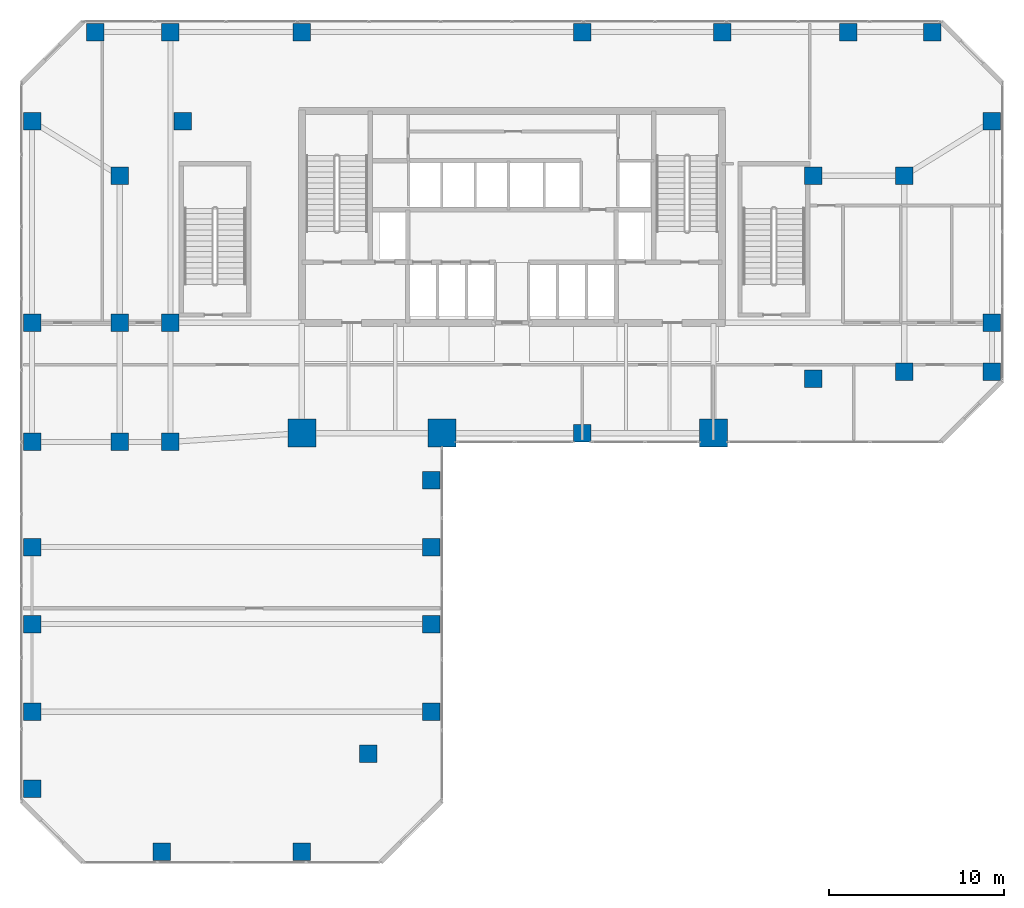
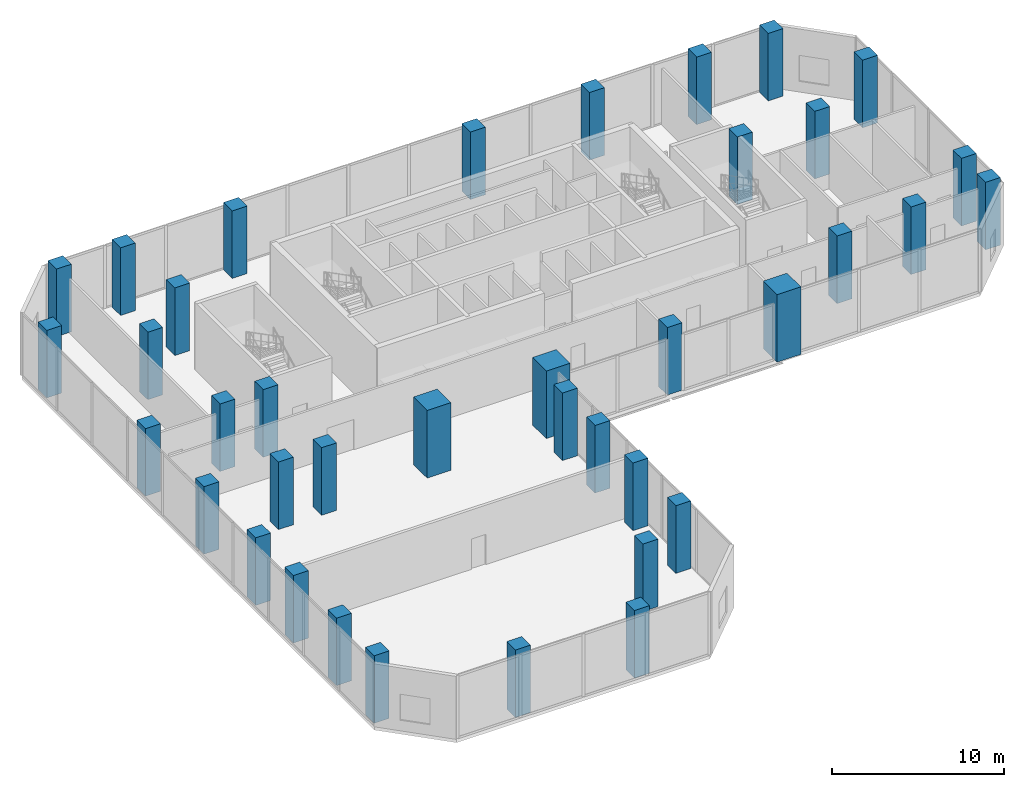
# One storey, part 1 of 24: 38 columns.
"""IFC4 building model written with IfcOpenShell, lengths in metres."""

import ifcopenshell
import ifcopenshell.guid

model = None  # the IFC model being written
_history = None  # IfcOwnerHistory: only IFC2X3 demands one
_inside = {}  # id of a spatial element -> (the spatial element, [elements in it])
_under = {}  # id of a project, library or spatial element -> (it, [spatial elements below it])
_declared = {}  # id of a project -> (the project, [libraries it declares])
_typed = {}  # id of a type object -> (the type object, [elements of that type])
_made_of = {}  # id of a material, layer set ... -> (it, [elements and type objects made of it])


def new_model(schema):
    """Start an empty IFC model of exactly this schema.

    Asked for "IFC4X3", IfcOpenShell would pick the latest addendum, in which some entities
    have other attributes; the version numbers below select the first issue.
    IFC2X3 requires an IfcOwnerHistory on every rooted entity: one is made here for all.
    """
    global model, _history
    if schema == "IFC4X3":
        model = ifcopenshell.file(schema_version=(4, 3, 0, 0))
    else:
        model = ifcopenshell.file(schema=schema)
    _inside.clear()
    _under.clear()
    _declared.clear()
    _typed.clear()
    _made_of.clear()
    _history = None
    if model.schema == "IFC2X3":
        org = make("IfcOrganization", Name="unknown")
        user = make(
            "IfcPersonAndOrganization",
            ThePerson=make("IfcPerson", FamilyName="unknown"),
            TheOrganization=org,
        )
        app = make(
            "IfcApplication",
            ApplicationDeveloper=org,
            Version="unknown",
            ApplicationFullName="unknown",
            ApplicationIdentifier="unknown",
        )
        _history = make(
            "IfcOwnerHistory",
            OwningUser=user,
            OwningApplication=app,
            ChangeAction="ADDED",
            CreationDate=0,
        )
    return model


def make(cls, **values):
    """One entity of the class cls with the attributes given. An attribute that is None is left unset."""
    return model.create_entity(
        cls, **{name: value for name, value in values.items() if value is not None}
    )


def rooted(cls, **values):
    """An entity with a GlobalId (a new one), such as an element, a storey or a relation."""
    return make(cls, GlobalId=ifcopenshell.guid.new(), OwnerHistory=_history, **values)


def si_unit(unit_type, name, prefix=None):
    """IfcSIUnit, for example si_unit("LENGTHUNIT", "METRE", prefix="MILLI")."""
    return make("IfcSIUnit", UnitType=unit_type, Prefix=prefix, Name=name)


def assignment(units):
    """IfcUnitAssignment: the units of a project."""
    return None if units is None else make("IfcUnitAssignment", Units=units)


def point(xyz):
    """IfcCartesianPoint."""
    return None if xyz is None else make("IfcCartesianPoint", Coordinates=xyz)


def direction(xyz):
    """IfcDirection."""
    return None if xyz is None else make("IfcDirection", DirectionRatios=xyz)


def frame(location, z_axis=None, x_axis=None):
    """IfcAxis2Placement3D, a coordinate frame: its origin and axes. An axis left out is left unset."""
    return make(
        "IfcAxis2Placement3D",
        Location=point(location),
        Axis=direction(z_axis),
        RefDirection=direction(x_axis),
    )


def frame_2d(location, x_axis=None):
    """IfcAxis2Placement2D, a coordinate frame in the plane: its origin and x axis."""
    return make(
        "IfcAxis2Placement2D", Location=point(location), RefDirection=direction(x_axis)
    )


def origin():
    """The frame at (0, 0, 0) with its axes left unset."""
    return frame((0.0, 0.0, 0.0))


def origin_2d():
    """The frame at (0, 0) in the plane with its x axis left unset."""
    return frame_2d((0.0, 0.0))


def place(relative_to, where):
    """IfcLocalPlacement: puts the frame where relative to a parent placement (None: the world)."""
    return make(
        "IfcLocalPlacement", PlacementRelTo=relative_to, RelativePlacement=where
    )


def context(
    kind, dimensions, precision=None, world=None, true_north=None, identifier=None
):
    """IfcGeometricRepresentationContext, for example the 3D "Model" context."""
    return make(
        "IfcGeometricRepresentationContext",
        ContextIdentifier=identifier,
        ContextType=kind,
        CoordinateSpaceDimension=dimensions,
        Precision=precision,
        WorldCoordinateSystem=world,
        TrueNorth=true_north,
    )


def subcontext(parent, identifier, kind, view, scale=None):
    """IfcGeometricRepresentationSubContext, for example "Body" below "Model"."""
    return make(
        "IfcGeometricRepresentationSubContext",
        ContextIdentifier=identifier,
        ContextType=kind,
        ParentContext=parent,
        TargetScale=scale,
        TargetView=view,
    )


def project(units=None, contexts=None):
    """IfcProject with its units and contexts."""
    return rooted(
        "IfcProject",
        Name="project",
        RepresentationContexts=contexts,
        UnitsInContext=assignment(units),
    )


def spatial(cls, under=None, at=None, **own):
    """A site, building, storey or space (cls), placed at a placement, below another one or the project."""
    s = rooted(cls, ObjectPlacement=at, **own)
    if under is not None:
        _under.setdefault(under.id(), (under, []))[1].append(s)
    return s


def profile(cls, at=None, kind="AREA", **sizes):
    """A parametric profile (cls). Its sizes go by their IFC names, for example OverallWidth=200.0."""
    return make(cls, ProfileType=kind, Position=at, **sizes)


def rectangle(**sizes):
    """IfcRectangleProfileDef."""
    return profile("IfcRectangleProfileDef", **sizes)


def extrude(swept, where, along, depth):
    """IfcExtrudedAreaSolid: the profile swept, set in the frame where, extruded along a direction by depth."""
    return make(
        "IfcExtrudedAreaSolid",
        SweptArea=swept,
        Position=where,
        ExtrudedDirection=direction(along),
        Depth=depth,
    )


def shape(context_of_items, identifier, shape_type, items):
    """IfcShapeRepresentation: the items that make up one representation, for example the "Body"."""
    return make(
        "IfcShapeRepresentation",
        ContextOfItems=context_of_items,
        RepresentationIdentifier=identifier,
        RepresentationType=shape_type,
        Items=items,
    )


def material(Name=None, Category=None):
    """IfcMaterial."""
    return make("IfcMaterial", Name=Name, Category=Category)


def material_profile(
    of_material, cross_section, Name=None, Category=None, Priority=None
):
    """IfcMaterialProfile: a cross section and its material."""
    return make(
        "IfcMaterialProfile",
        Name=Name,
        Material=of_material,
        Profile=cross_section,
        Priority=Priority,
        Category=Category,
    )


def profile_set(profiles, Name=None, composite=None):
    """IfcMaterialProfileSet."""
    return make(
        "IfcMaterialProfileSet",
        Name=Name,
        MaterialProfiles=profiles,
        CompositeProfile=composite,
    )


def made_of(thing, what):
    """Note that an element or type object is made of a material, layer set ...; save() writes the relation."""
    if what is not None:
        _made_of.setdefault(what.id(), (what, []))[1].append(thing)
    return thing


def type_object(cls, material=None, **own):
    """A type object (cls), such as IfcWallType, which elements share."""
    return made_of(rooted(cls, **own), material)


def element(
    cls,
    number,
    at=None,
    inside=None,
    cuts=None,
    type_object=None,
    material=None,
    context=None,
    identifier="Body",
    shape_type=None,
    held_by="IfcProductDefinitionShape",
    body=None,
    shapes=None,
    **own,
):
    """One element of the class cls, such as IfcWall. Its Tag is "e" and its number.

    at: its placement. inside: the storey or other place that contains it. cuts: it is an
    opening in that element (IfcRelVoidsElement). A single representation is given by context,
    identifier, shape_type and body (its items); several are given by shapes. held_by: the class
    of the entity that holds the representations. save() writes the other relations.
    """
    e = rooted(cls, Tag="e%d" % number, ObjectPlacement=at, **own)
    if body is not None:
        shapes = [shape(context, identifier, shape_type, body)]
    if shapes is not None:
        e.Representation = make(held_by, Representations=shapes)
    if inside is not None:
        _inside.setdefault(inside.id(), (inside, []))[1].append(e)
    if cuts is not None:
        rooted(
            "IfcRelVoidsElement", RelatingBuildingElement=cuts, RelatedOpeningElement=e
        )
    if type_object is not None:
        _typed.setdefault(type_object.id(), (type_object, []))[1].append(e)
    return made_of(e, material)


def aggregate(whole, parts):
    """IfcRelAggregates: a whole, such as a stair, and the parts it consists of."""
    return rooted("IfcRelAggregates", RelatingObject=whole, RelatedObjects=parts)


def save(model, path):
    """Write the relations noted so far, then the file.

    IfcRelAggregates (storeys below a building ...), IfcRelContainedInSpatialStructure (elements
    in a storey), IfcRelDefinesByType, IfcRelAssociatesMaterial and IfcRelDeclares: one each for
    every whole, place, type object, material and project.
    """
    for whole, parts in _under.values():
        aggregate(whole, parts)
    for where, things in _inside.values():
        rooted(
            "IfcRelContainedInSpatialStructure",
            RelatedElements=things,
            RelatingStructure=where,
        )
    for kind, things in _typed.values():
        rooted("IfcRelDefinesByType", RelatedObjects=things, RelatingType=kind)
    for what, things in _made_of.values():
        rooted("IfcRelAssociatesMaterial", RelatedObjects=things, RelatingMaterial=what)
    for by, libraries in _declared.values():
        rooted("IfcRelDeclares", RelatingContext=by, RelatedDefinitions=libraries)
    model.write(path)


model = new_model("IFC4")

# Units and contexts
model_context = context("Model", 3, precision=1e-05, world=origin(), true_north=direction((0.0, 1.0)))
body_context = subcontext(model_context, "Body", "Model", "MODEL_VIEW")
ifc_project = project(units=[si_unit("LENGTHUNIT", "METRE"), si_unit("AREAUNIT", "SQUARE_METRE"), si_unit("VOLUMEUNIT", "CUBIC_METRE"), si_unit("PLANEANGLEUNIT", "RADIAN"), si_unit("MASSUNIT", "GRAM", prefix="KILO")], contexts=[model_context])

# Site, building, storey
site_placement = place(None, origin())
site = spatial("IfcSite", under=ifc_project, at=site_placement, CompositionType="ELEMENT")
building_placement = place(site_placement, origin())
building = spatial("IfcBuilding", under=site, at=building_placement, Name="Catumbela Crestline Tower", CompositionType="ELEMENT")
storey_placement = place(building_placement, frame((0.0, 0.0, 11.1)))
storey = spatial("IfcBuildingStorey", under=building, at=storey_placement, Name="L02", CompositionType="ELEMENT", Elevation=11.1)

# Columns
ifc_material = material(Name="Concrete C60/75", Category="concrete")
ifc_material_profile_1 = material_profile(ifc_material, rectangle(XDim=1.0, YDim=1.0, at=origin_2d()), Name="RC 1000x1000")
ifc_profile_set_1 = profile_set([ifc_material_profile_1], Name="Concrete C60/75")
column_type_1 = type_object("IfcColumnType", Name="C-RC1000-C60", PredefinedType="COLUMN", material=ifc_profile_set_1)
for number, where, z_axis, x_axis, name in (
    (1, (8.5, 24.0, 0.0), (0.0, 0.0, 1.0), (1.0, 0.0, 0.0), "L02 Column C-08-24 (RC 1000x1000)"),
    (2, (32.0, 24.5, 0.0), (0.0, 0.0, 1.0), (1.0, 0.0, 0.0), "L02 Column C-32-24 (RC 1000x1000)"),
    (3, (5.6, 24.0, 0.0), (0.0, 0.0, 1.0), (1.0, 0.0, 0.0), "L02 Column C-05-24 (RC 1000x1000)"),
    (4, (5.6, 30.8, 0.0), (0.0, 0.0, 1.0), (1.0, 0.0, 0.0), "L02 Column C-05-31 (RC 1000x1000)"),
    (5, (5.6, 39.2, 0.0), (0.0, 0.0, 1.0), (1.0, 0.0, 0.0), "L02 Column C-05-43 (RC 1000x1000)"),
    (6, (8.5, 30.8, 0.0), (0.0, 0.0, 1.0), (1.0, 0.0, 0.0), "L02 Column C-08-31 (RC 1000x1000)"),
    (7, (9.2, 42.3, 0.0), (0.0, 0.0, 1.0), (1.0, 0.0, 0.0), "L02 Column C-08-43 (RC 1000x1000)"),
    (8, (45.2, 27.6, 0.0), (0.0, 0.0, 1.0), (1.0, 0.0, 0.0), "L02 Column C-46-24 (RC 1000x1000)"),
    (9, (45.2, 39.2, 0.0), (0.0, 0.0, 1.0), (1.0, 0.0, 0.0), "L02 Column C-46-43 (RC 1000x1000)"),
    (10, (0.6, 24.0, 0.0), (0.0, 0.0, 1.0), (1.0, 0.0, 0.0), "L02 Column C-00-24 (RC 1000x1000)"),
    (11, (0.6, 30.8, 0.0), (0.0, 0.0, 1.0), (1.0, 0.0, 0.0), "L02 Column C-00-31 (RC 1000x1000)"),
    (12, (0.6, 42.3, 0.0), (0.0, 0.0, 1.0), (1.0, 0.0, 0.0), "L02 Column C-00-43 (RC 1000x1000)"),
    (13, (4.2, 47.4, 0.0), (0.0, 0.0, 1.0), (1.0, 0.0, 0.0), "L02 Column C-00-48 (RC 1000x1000)"),
    (14, (8.5, 47.4, 0.0), (0.0, 0.0, 1.0), (1.0, 0.0, 0.0), "L02 Column C-08-48 (RC 1000x1000)"),
    (15, (16.0, 47.4, 0.0), (0.0, 0.0, 1.0), (1.0, 0.0, 0.0), "L02 Column C-16-48 (RC 1000x1000)"),
    (16, (32.0, 47.4, 0.0), (0.0, 0.0, 1.0), (1.0, 0.0, 0.0), "L02 Column C-32-48 (RC 1000x1000)"),
    (17, (40.0, 47.4, 0.0), (0.0, 0.0, 1.0), (1.0, 0.0, 0.0), "L02 Column C-40-48 (RC 1000x1000)"),
    (18, (47.2, 47.4, 0.0), (0.0, 0.0, 1.0), (1.0, 0.0, 0.0), "L02 Column C-48-48 (RC 1000x1000)"),
    (19, (50.4, 28.0, 0.0), (0.0, 0.0, 1.0), (1.0, 0.0, 0.0), "L02 Column C-51-24 (RC 1000x1000)"),
    (20, (50.4, 39.2, 0.0), (0.0, 0.0, 1.0), (1.0, 0.0, 0.0), "L02 Column C-51-43 (RC 1000x1000)"),
    (21, (55.4, 28.0, 0.0), (0.0, 0.0, 1.0), (1.0, 0.0, 0.0), "L02 Column C-56-24 (RC 1000x1000)"),
    (22, (55.4, 30.8, 0.0), (0.0, 0.0, 1.0), (1.0, 0.0, 0.0), "L02 Column C-56-31 (RC 1000x1000)"),
    (23, (55.4, 42.3, 0.0), (0.0, 0.0, 1.0), (1.0, 0.0, 0.0), "L02 Column C-56-43 (RC 1000x1000)"),
    (24, (52.0, 47.4, 0.0), (0.0, 0.0, 1.0), (1.0, 0.0, 0.0), "L02 Column C-56-48 (RC 1000x1000)"),
    (25, (0.6, 8.6, 0.0), (0.0, 0.0, 1.0), (1.0, 0.0, 0.0), "L02 Column C-00-05 (RC 1000x1000)"),
    (26, (0.6, 13.6, 0.0), (0.0, 0.0, 1.0), (1.0, 0.0, 0.0), "L02 Column C-00-10 (RC 1000x1000)"),
    (27, (0.6, 18.0, 0.0), (0.0, 0.0, 1.0), (1.0, 0.0, 0.0), "L02 Column C-00-16 (RC 1000x1000)"),
    (28, (0.6, 4.2, 0.0), (0.0, 0.0, 1.0), (1.0, 0.0, 0.0), "L02 Column C-00-03 (RC 1000x1000)"),
    (29, (8.0, 0.6, 0.0), (0.0, 0.0, 1.0), (1.0, 0.0, 0.0), "L02 Column C-08-00 (RC 1000x1000)"),
    (30, (16.0, 0.6, 0.0), (0.0, 0.0, 1.0), (1.0, 0.0, 0.0), "L02 Column C-16-00 (RC 1000x1000)"),
    (31, (19.8, 6.2, 0.0), (0.0, 0.0, 1.0), (1.0, 0.0, 0.0), "L02 Column C-24-05 (RC 1000x1000)"),
    (32, (23.4, 8.6, 0.0), (0.0, 0.0, 1.0), (1.0, 0.0, 0.0), "L02 Column C-23-08 (RC 1000x1000)"),
    (33, (23.4, 13.6, 0.0), (0.0, 0.0, 1.0), (1.0, 0.0, 0.0), "L02 Column C-24-10 (RC 1000x1000)"),
    (34, (23.4, 18.0, 0.0), (0.0, 0.0, 1.0), (1.0, 0.0, 0.0), "L02 Column C-24-16 (RC 1000x1000)"),
    (35, (23.4, 21.8, 0.0), (0.0, 0.0, 1.0), (1.0, 0.0, 0.0), "L02 Column C-24-21 (RC 1000x1000)"),
):
    element("IfcColumn", number, at=place(storey_placement, frame(where, z_axis=z_axis, x_axis=x_axis)), inside=storey, type_object=column_type_1, Name=name, PredefinedType="COLUMN", context=body_context, shape_type="SweptSolid", body=[
        extrude(rectangle(XDim=1.0, YDim=1.0, at=origin_2d()), origin(), (0.0, 0.0, 1.0), 4.8),
    ])
ifc_material_profile_2 = material_profile(ifc_material, rectangle(XDim=1.6, YDim=1.6, at=origin_2d()), Name="RC 1600x1600")
ifc_profile_set_2 = profile_set([ifc_material_profile_2], Name="Concrete C60/75")
column_type_2 = type_object("IfcColumnType", Name="C-RC1600-C60", PredefinedType="COLUMN", material=ifc_profile_set_2)
for number, where, z_axis, x_axis, name in (
    (36, (16.0, 24.5, 0.0), (0.0, 0.0, 1.0), (1.0, 0.0, 0.0), "L02 Column C-16-24 (RC 1600x1600)"),
    (37, (24.0, 24.5, 0.0), (0.0, 0.0, 1.0), (1.0, 0.0, 0.0), "L02 Column C-24-24 (RC 1600x1600)"),
    (38, (39.5, 24.5, 0.0), (0.0, 0.0, 1.0), (1.0, 0.0, 0.0), "L02 Column C-40-24 (RC 1600x1600)"),
):
    element("IfcColumn", number, at=place(storey_placement, frame(where, z_axis=z_axis, x_axis=x_axis)), inside=storey, type_object=column_type_2, Name=name, PredefinedType="COLUMN", context=body_context, shape_type="SweptSolid", body=[
        extrude(rectangle(XDim=1.6, YDim=1.6, at=origin_2d()), origin(), (0.0, 0.0, 1.0), 4.8),
    ])

save(model, "model.ifc")
